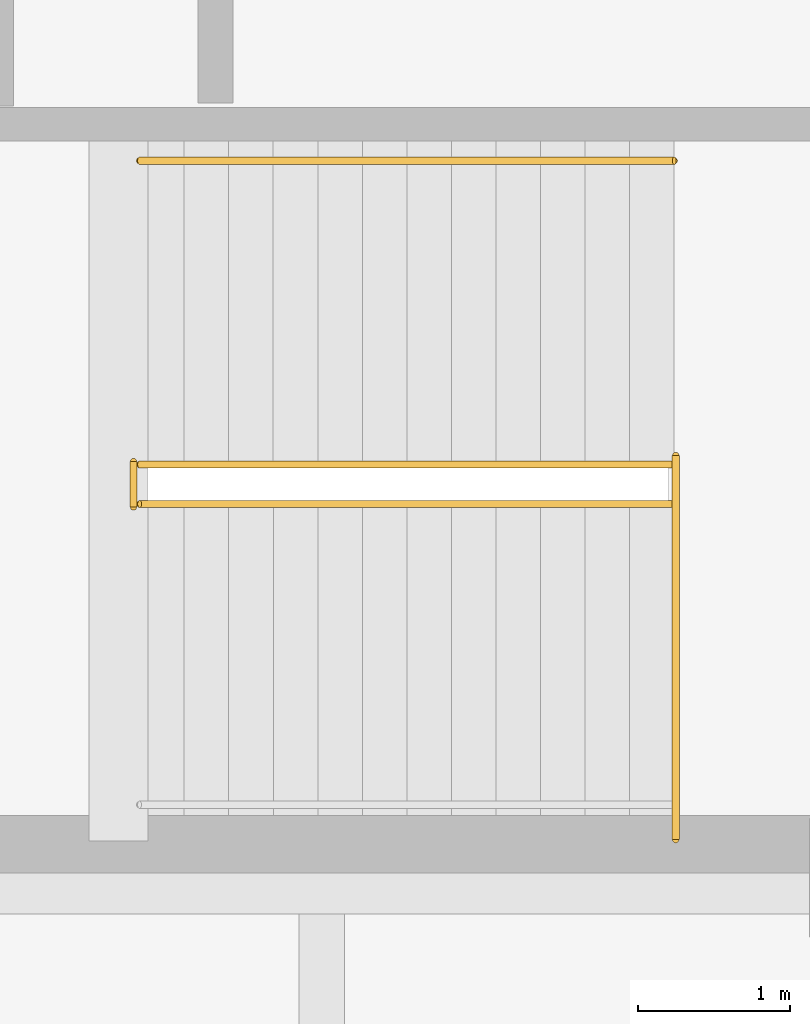
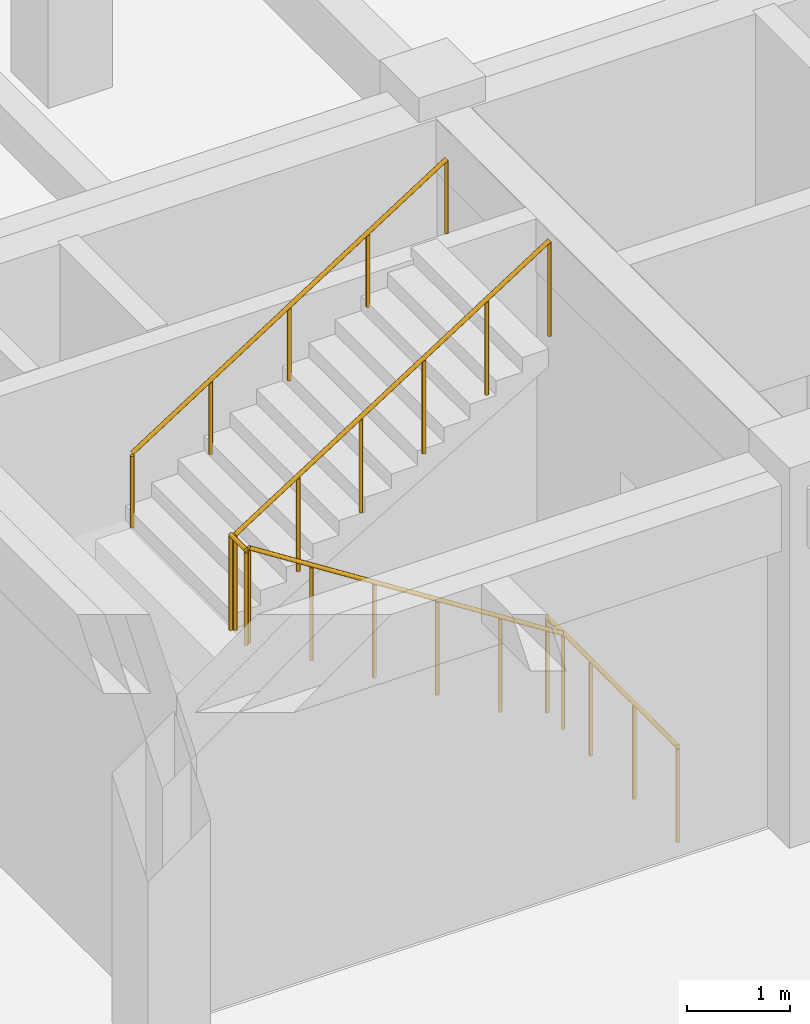
# One storey, part 171 of 171: 5 railings.
"""IFC4 building model written with IfcOpenShell, lengths in metres."""

from ifc_helpers import new_model, si_unit, direction, frame, origin, origin_2d, place, context, subcontext, project, spatial, circle, extrude, material, type_object, element, save


model = new_model("IFC4")

# Units and contexts
model_context = context("Model", 3, precision=1e-05, world=origin(), true_north=direction((0.0, 1.0)))
body_context = subcontext(model_context, "Body", "Model", "MODEL_VIEW")
ifc_project = project(units=[si_unit("LENGTHUNIT", "METRE"), si_unit("AREAUNIT", "SQUARE_METRE"), si_unit("VOLUMEUNIT", "CUBIC_METRE"), si_unit("PLANEANGLEUNIT", "RADIAN"), si_unit("MASSUNIT", "GRAM", prefix="KILO")], contexts=[model_context])

# Site, building, storey
site_placement = place(None, origin())
site = spatial("IfcSite", under=ifc_project, at=site_placement, CompositionType="ELEMENT")
building_placement = place(site_placement, origin())
building = spatial("IfcBuilding", under=site, at=building_placement, Name="Thalmaran Polytechnic", CompositionType="ELEMENT")
storey_placement = place(building_placement, frame((0.0, 0.0, 5.39990234375)))
storey = spatial("IfcBuildingStorey", under=building, at=storey_placement, Name="L01", CompositionType="ELEMENT", Elevation=5.39990234375)

# Railings
ifc_material = material(Name="Stainless steel 316", Category="steel")
railing_type_1 = type_object("IfcRailingType", Name="RL-GR01", PredefinedType="GUARDRAIL", material=ifc_material)
railing_1_placement = place(storey_placement, frame((142.72998046875, 86.64990234375, 0.0)))
element("IfcRailing", 1, at=railing_1_placement, inside=storey, type_object=railing_type_1, Name="ST5 L01 Landing Edge Guardrail", PredefinedType="GUARDRAIL", context=body_context, shape_type="SweptSolid", body=[
    extrude(circle(Radius=0.02392578125, at=origin_2d()), frame((0.0, 0.0, 1.1259765625), z_axis=(0.0, 1.0, 0.0), x_axis=(-1.0, 0.0, 0.0)), (0.0, 0.0, 1.0), 2.530029296875),
    extrude(circle(Radius=0.02099609375, at=origin_2d()), origin(), (0.0, 0.0, 1.0), 1.101806640625),
    extrude(circle(Radius=0.02099609375, at=origin_2d()), frame((0.0, 0.84326171875, 0.0)), (0.0, 0.0, 1.0), 1.101806640625),
    extrude(circle(Radius=0.02099609375, at=origin_2d()), frame((0.0, 1.686767578125, 0.0)), (0.0, 0.0, 1.0), 1.101806640625),
    extrude(circle(Radius=0.02099609375, at=origin_2d()), frame((0.0, 2.530029296875, 0.0)), (0.0, 0.0, 1.0), 1.101806640625),
])
railing_2_placement = place(storey_placement, frame((142.719970703125, 88.860107421875, 0.0)))
element("IfcRailing", 2, at=railing_2_placement, inside=storey, type_object=railing_type_1, Name="ST5 L01 Lower Flight Guardrail", PredefinedType="GUARDRAIL", context=body_context, shape_type="SweptSolid", body=[
    extrude(circle(Radius=0.02392578125, at=origin_2d()), frame((0.0, 0.0, 1.1259765625), z_axis=(-0.84257692701, 0.0, 0.53857601327), x_axis=(0.0, -1.0, 0.0)), (0.0, 0.0, 1.0), 4.177734375),
    extrude(circle(Radius=0.02099609375, at=origin_2d()), origin(), (0.0, 0.0, 1.0), 1.101806640625),
    extrude(circle(Radius=0.02099609375, at=origin_2d()), frame((-0.7041015625, 0.0, 0.449951171875)), (0.0, 0.0, 1.0), 1.101806640625),
    extrude(circle(Radius=0.02099609375, at=origin_2d()), frame((-1.407958984375, 0.0, 0.89990234375)), (0.0, 0.0, 1.0), 1.101806640625),
    extrude(circle(Radius=0.02099609375, at=origin_2d()), frame((-2.112060546875, 0.0, 1.35009765625)), (0.0, 0.0, 1.0), 1.101806640625),
    extrude(circle(Radius=0.02099609375, at=origin_2d()), frame((-2.81591796875, 0.0, 1.800048828125)), (0.0, 0.0, 1.0), 1.101806640625),
    extrude(circle(Radius=0.02099609375, at=origin_2d()), frame((-3.52001953125, 0.0, 2.25)), (0.0, 0.0, 1.0), 1.101806640625),
])
railing_3_placement = place(storey_placement, frame((139.159912109375, 88.840087890625, 2.25)))
element("IfcRailing", 3, at=railing_3_placement, inside=storey, type_object=railing_type_1, Name="ST5 L01 Half-Landing Well Guardrail", PredefinedType="GUARDRAIL", context=body_context, shape_type="SweptSolid", body=[
    extrude(circle(Radius=0.02392578125, at=origin_2d()), frame((0.0, 0.0, 1.1259765625), z_axis=(0.0, 1.0, 0.0), x_axis=(-1.0, 0.0, 0.0)), (0.0, 0.0, 1.0), 0.2998046875),
    extrude(circle(Radius=0.02099609375, at=origin_2d()), origin(), (0.0, 0.0, 1.0), 1.101806640625),
    extrude(circle(Radius=0.02099609375, at=origin_2d()), frame((0.0, 0.2998046875, 0.0)), (0.0, 0.0, 1.0), 1.101806640625),
])
railing_4_placement = place(storey_placement, frame((139.199951171875, 89.1201171875, 2.25)))
element("IfcRailing", 4, at=railing_4_placement, inside=storey, type_object=railing_type_1, Name="ST5 L01 Upper Flight Guardrail", PredefinedType="GUARDRAIL", context=body_context, shape_type="SweptSolid", body=[
    extrude(circle(Radius=0.02392578125, at=origin_2d()), frame((0.0, 0.0, 1.1259765625), z_axis=(0.84257692701, 0.0, 0.53857601327), x_axis=(0.0, 1.0, 0.0)), (0.0, 0.0, 1.0), 4.177734375),
    extrude(circle(Radius=0.02099609375, at=origin_2d()), origin(), (0.0, 0.0, 1.0), 1.101806640625),
    extrude(circle(Radius=0.02099609375, at=origin_2d()), frame((0.7041015625, 0.0, 0.449951171875)), (0.0, 0.0, 1.0), 1.101806640625),
    extrude(circle(Radius=0.02099609375, at=origin_2d()), frame((1.407958984375, 0.0, 0.89990234375)), (0.0, 0.0, 1.0), 1.101806640625),
    extrude(circle(Radius=0.02099609375, at=origin_2d()), frame((2.112060546875, 0.0, 1.35009765625)), (0.0, 0.0, 1.0), 1.101806640625),
    extrude(circle(Radius=0.02099609375, at=origin_2d()), frame((2.81591796875, 0.0, 1.800048828125)), (0.0, 0.0, 1.0), 1.101806640625),
    extrude(circle(Radius=0.02099609375, at=origin_2d()), frame((3.52001953125, 0.0, 2.25)), (0.0, 0.0, 1.0), 1.101806640625),
])
railing_type_2 = type_object("IfcRailingType", Name="RL-HR01", PredefinedType="HANDRAIL", material=ifc_material)
railing_5_placement = place(storey_placement, frame((139.199951171875, 91.1201171875, 2.25)))
element("IfcRailing", 5, at=railing_5_placement, inside=storey, type_object=railing_type_2, Name="ST5 L01 Flight 2 Handrail", PredefinedType="HANDRAIL", context=body_context, shape_type="SweptSolid", body=[
    extrude(circle(Radius=0.02392578125, at=origin_2d()), frame((0.0, 0.0, 0.8759765625), z_axis=(0.84257692701, 0.0, 0.53857601327), x_axis=(0.0, 1.0, 0.0)), (0.0, 0.0, 1.0), 4.177734375),
    extrude(circle(Radius=0.02099609375, at=origin_2d()), origin(), (0.0, 0.0, 1.0), 0.851806640625),
    extrude(circle(Radius=0.02099609375, at=origin_2d()), frame((0.8798828125, 0.0, 0.5625)), (0.0, 0.0, 1.0), 0.851806640625),
    extrude(circle(Radius=0.02099609375, at=origin_2d()), frame((1.760009765625, 0.0, 1.125)), (0.0, 0.0, 1.0), 0.851806640625),
    extrude(circle(Radius=0.02099609375, at=origin_2d()), frame((2.64013671875, 0.0, 1.6875)), (0.0, 0.0, 1.0), 0.851806640625),
    extrude(circle(Radius=0.02099609375, at=origin_2d()), frame((3.52001953125, 0.0, 2.25)), (0.0, 0.0, 1.0), 0.851806640625),
])

save(model, "model.ifc")
